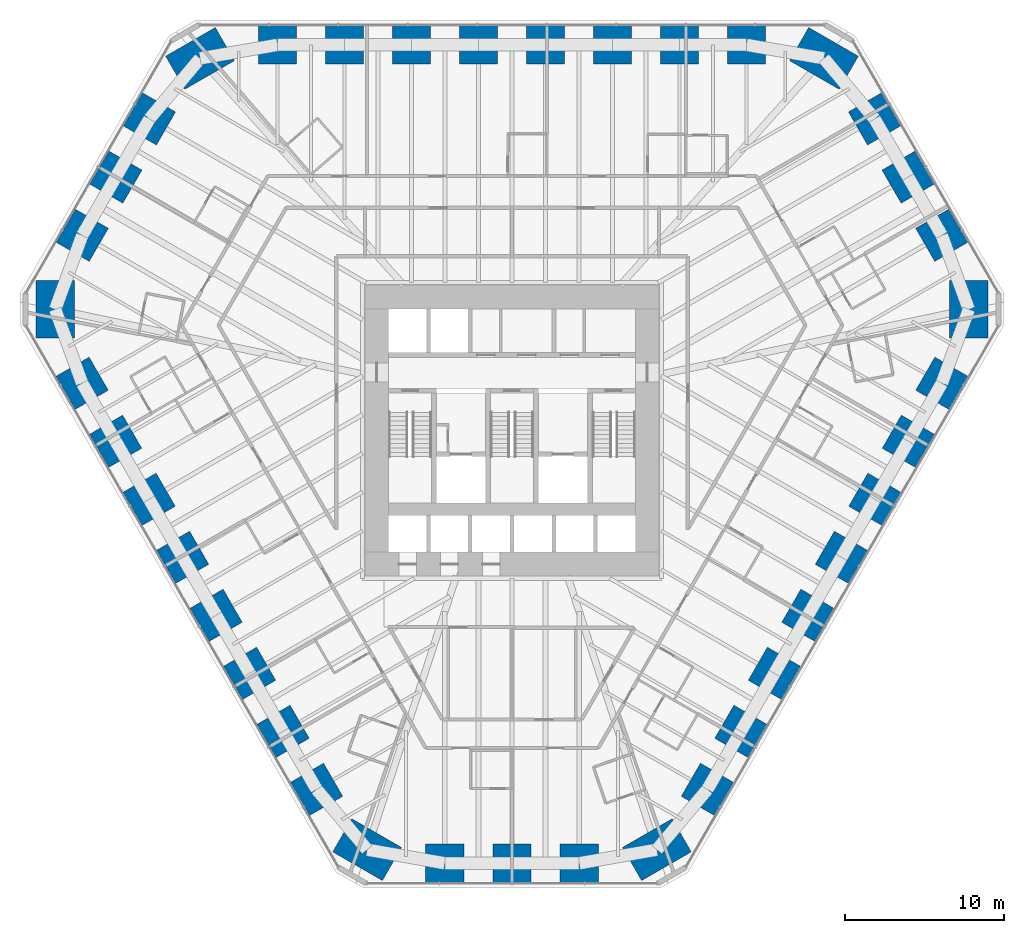
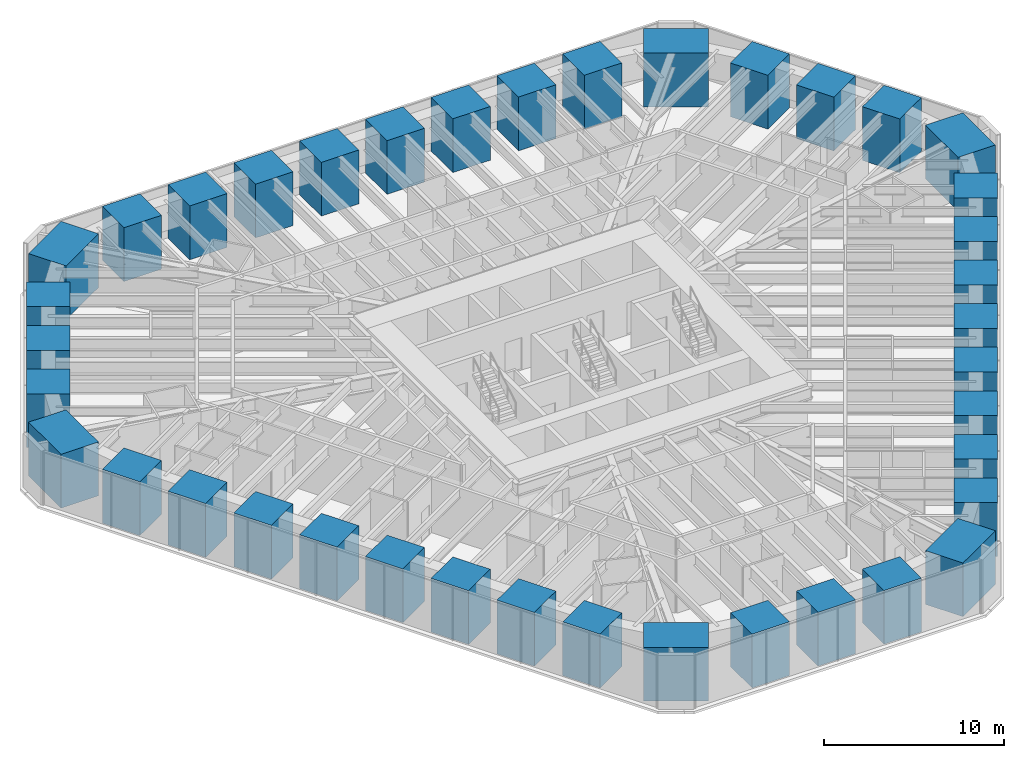
# One storey, part 1 of 17: 39 columns.
"""IFC4 building model written with IfcOpenShell, lengths in metres."""

import ifcopenshell
import ifcopenshell.guid

model = None  # the IFC model being written
_history = None  # IfcOwnerHistory: only IFC2X3 demands one
_inside = {}  # id of a spatial element -> (the spatial element, [elements in it])
_under = {}  # id of a project, library or spatial element -> (it, [spatial elements below it])
_declared = {}  # id of a project -> (the project, [libraries it declares])
_typed = {}  # id of a type object -> (the type object, [elements of that type])
_made_of = {}  # id of a material, layer set ... -> (it, [elements and type objects made of it])


def new_model(schema):
    """Start an empty IFC model of exactly this schema.

    Asked for "IFC4X3", IfcOpenShell would pick the latest addendum, in which some entities
    have other attributes; the version numbers below select the first issue.
    IFC2X3 requires an IfcOwnerHistory on every rooted entity: one is made here for all.
    """
    global model, _history
    if schema == "IFC4X3":
        model = ifcopenshell.file(schema_version=(4, 3, 0, 0))
    else:
        model = ifcopenshell.file(schema=schema)
    _inside.clear()
    _under.clear()
    _declared.clear()
    _typed.clear()
    _made_of.clear()
    _history = None
    if model.schema == "IFC2X3":
        org = make("IfcOrganization", Name="unknown")
        user = make(
            "IfcPersonAndOrganization",
            ThePerson=make("IfcPerson", FamilyName="unknown"),
            TheOrganization=org,
        )
        app = make(
            "IfcApplication",
            ApplicationDeveloper=org,
            Version="unknown",
            ApplicationFullName="unknown",
            ApplicationIdentifier="unknown",
        )
        _history = make(
            "IfcOwnerHistory",
            OwningUser=user,
            OwningApplication=app,
            ChangeAction="ADDED",
            CreationDate=0,
        )
    return model


def make(cls, **values):
    """One entity of the class cls with the attributes given. An attribute that is None is left unset."""
    return model.create_entity(
        cls, **{name: value for name, value in values.items() if value is not None}
    )


def rooted(cls, **values):
    """An entity with a GlobalId (a new one), such as an element, a storey or a relation."""
    return make(cls, GlobalId=ifcopenshell.guid.new(), OwnerHistory=_history, **values)


def si_unit(unit_type, name, prefix=None):
    """IfcSIUnit, for example si_unit("LENGTHUNIT", "METRE", prefix="MILLI")."""
    return make("IfcSIUnit", UnitType=unit_type, Prefix=prefix, Name=name)


def assignment(units):
    """IfcUnitAssignment: the units of a project."""
    return None if units is None else make("IfcUnitAssignment", Units=units)


def point(xyz):
    """IfcCartesianPoint."""
    return None if xyz is None else make("IfcCartesianPoint", Coordinates=xyz)


def direction(xyz):
    """IfcDirection."""
    return None if xyz is None else make("IfcDirection", DirectionRatios=xyz)


def frame(location, z_axis=None, x_axis=None):
    """IfcAxis2Placement3D, a coordinate frame: its origin and axes. An axis left out is left unset."""
    return make(
        "IfcAxis2Placement3D",
        Location=point(location),
        Axis=direction(z_axis),
        RefDirection=direction(x_axis),
    )


def frame_2d(location, x_axis=None):
    """IfcAxis2Placement2D, a coordinate frame in the plane: its origin and x axis."""
    return make(
        "IfcAxis2Placement2D", Location=point(location), RefDirection=direction(x_axis)
    )


def origin():
    """The frame at (0, 0, 0) with its axes left unset."""
    return frame((0.0, 0.0, 0.0))


def origin_2d():
    """The frame at (0, 0) in the plane with its x axis left unset."""
    return frame_2d((0.0, 0.0))


def place(relative_to, where):
    """IfcLocalPlacement: puts the frame where relative to a parent placement (None: the world)."""
    return make(
        "IfcLocalPlacement", PlacementRelTo=relative_to, RelativePlacement=where
    )


def context(
    kind, dimensions, precision=None, world=None, true_north=None, identifier=None
):
    """IfcGeometricRepresentationContext, for example the 3D "Model" context."""
    return make(
        "IfcGeometricRepresentationContext",
        ContextIdentifier=identifier,
        ContextType=kind,
        CoordinateSpaceDimension=dimensions,
        Precision=precision,
        WorldCoordinateSystem=world,
        TrueNorth=true_north,
    )


def subcontext(parent, identifier, kind, view, scale=None):
    """IfcGeometricRepresentationSubContext, for example "Body" below "Model"."""
    return make(
        "IfcGeometricRepresentationSubContext",
        ContextIdentifier=identifier,
        ContextType=kind,
        ParentContext=parent,
        TargetScale=scale,
        TargetView=view,
    )


def project(units=None, contexts=None):
    """IfcProject with its units and contexts."""
    return rooted(
        "IfcProject",
        Name="project",
        RepresentationContexts=contexts,
        UnitsInContext=assignment(units),
    )


def spatial(cls, under=None, at=None, **own):
    """A site, building, storey or space (cls), placed at a placement, below another one or the project."""
    s = rooted(cls, ObjectPlacement=at, **own)
    if under is not None:
        _under.setdefault(under.id(), (under, []))[1].append(s)
    return s


def profile(cls, at=None, kind="AREA", **sizes):
    """A parametric profile (cls). Its sizes go by their IFC names, for example OverallWidth=200.0."""
    return make(cls, ProfileType=kind, Position=at, **sizes)


def rectangle(**sizes):
    """IfcRectangleProfileDef."""
    return profile("IfcRectangleProfileDef", **sizes)


def extrude(swept, where, along, depth):
    """IfcExtrudedAreaSolid: the profile swept, set in the frame where, extruded along a direction by depth."""
    return make(
        "IfcExtrudedAreaSolid",
        SweptArea=swept,
        Position=where,
        ExtrudedDirection=direction(along),
        Depth=depth,
    )


def clip(a, b, op="DIFFERENCE"):
    """IfcBooleanClippingResult: the solid a cut by the half space b."""
    return make(
        "IfcBooleanClippingResult", Operator=op, FirstOperand=a, SecondOperand=b
    )


def halfspace(plane, agree):
    """IfcHalfSpaceSolid: all space on one side of the plane z = 0 of the frame plane."""
    return make(
        "IfcHalfSpaceSolid",
        BaseSurface=make("IfcPlane", Position=plane),
        AgreementFlag=agree,
    )


def shape(context_of_items, identifier, shape_type, items):
    """IfcShapeRepresentation: the items that make up one representation, for example the "Body"."""
    return make(
        "IfcShapeRepresentation",
        ContextOfItems=context_of_items,
        RepresentationIdentifier=identifier,
        RepresentationType=shape_type,
        Items=items,
    )


def material(Name=None, Category=None):
    """IfcMaterial."""
    return make("IfcMaterial", Name=Name, Category=Category)


def material_profile(
    of_material, cross_section, Name=None, Category=None, Priority=None
):
    """IfcMaterialProfile: a cross section and its material."""
    return make(
        "IfcMaterialProfile",
        Name=Name,
        Material=of_material,
        Profile=cross_section,
        Priority=Priority,
        Category=Category,
    )


def profile_set(profiles, Name=None, composite=None):
    """IfcMaterialProfileSet."""
    return make(
        "IfcMaterialProfileSet",
        Name=Name,
        MaterialProfiles=profiles,
        CompositeProfile=composite,
    )


def made_of(thing, what):
    """Note that an element or type object is made of a material, layer set ...; save() writes the relation."""
    if what is not None:
        _made_of.setdefault(what.id(), (what, []))[1].append(thing)
    return thing


def type_object(cls, material=None, **own):
    """A type object (cls), such as IfcWallType, which elements share."""
    return made_of(rooted(cls, **own), material)


def element(
    cls,
    number,
    at=None,
    inside=None,
    cuts=None,
    type_object=None,
    material=None,
    context=None,
    identifier="Body",
    shape_type=None,
    held_by="IfcProductDefinitionShape",
    body=None,
    shapes=None,
    **own,
):
    """One element of the class cls, such as IfcWall. Its Tag is "e" and its number.

    at: its placement. inside: the storey or other place that contains it. cuts: it is an
    opening in that element (IfcRelVoidsElement). A single representation is given by context,
    identifier, shape_type and body (its items); several are given by shapes. held_by: the class
    of the entity that holds the representations. save() writes the other relations.
    """
    e = rooted(cls, Tag="e%d" % number, ObjectPlacement=at, **own)
    if body is not None:
        shapes = [shape(context, identifier, shape_type, body)]
    if shapes is not None:
        e.Representation = make(held_by, Representations=shapes)
    if inside is not None:
        _inside.setdefault(inside.id(), (inside, []))[1].append(e)
    if cuts is not None:
        rooted(
            "IfcRelVoidsElement", RelatingBuildingElement=cuts, RelatedOpeningElement=e
        )
    if type_object is not None:
        _typed.setdefault(type_object.id(), (type_object, []))[1].append(e)
    return made_of(e, material)


def aggregate(whole, parts):
    """IfcRelAggregates: a whole, such as a stair, and the parts it consists of."""
    return rooted("IfcRelAggregates", RelatingObject=whole, RelatedObjects=parts)


def save(model, path):
    """Write the relations noted so far, then the file.

    IfcRelAggregates (storeys below a building ...), IfcRelContainedInSpatialStructure (elements
    in a storey), IfcRelDefinesByType, IfcRelAssociatesMaterial and IfcRelDeclares: one each for
    every whole, place, type object, material and project.
    """
    for whole, parts in _under.values():
        aggregate(whole, parts)
    for where, things in _inside.values():
        rooted(
            "IfcRelContainedInSpatialStructure",
            RelatedElements=things,
            RelatingStructure=where,
        )
    for kind, things in _typed.values():
        rooted("IfcRelDefinesByType", RelatedObjects=things, RelatingType=kind)
    for what, things in _made_of.values():
        rooted("IfcRelAssociatesMaterial", RelatedObjects=things, RelatingMaterial=what)
    for by, libraries in _declared.values():
        rooted("IfcRelDeclares", RelatingContext=by, RelatedDefinitions=libraries)
    model.write(path)


model = new_model("IFC4")

# Units and contexts
model_context = context("Model", 3, precision=1e-05, world=origin(), true_north=direction((0.0, 1.0)))
body_context = subcontext(model_context, "Body", "Model", "MODEL_VIEW")
ifc_project = project(units=[si_unit("LENGTHUNIT", "METRE"), si_unit("AREAUNIT", "SQUARE_METRE"), si_unit("VOLUMEUNIT", "CUBIC_METRE"), si_unit("PLANEANGLEUNIT", "RADIAN"), si_unit("MASSUNIT", "GRAM", prefix="KILO")], contexts=[model_context])

# Site, building, storey
site_placement = place(None, origin())
site = spatial("IfcSite", under=ifc_project, at=site_placement, CompositionType="ELEMENT")
building_placement = place(site_placement, origin())
building = spatial("IfcBuilding", under=site, at=building_placement, Name="Sandreach Pilgrim Tower", CompositionType="ELEMENT")
storey_placement = place(building_placement, frame((0.0, 0.0, 53.39990234375)))
storey = spatial("IfcBuildingStorey", under=building, at=storey_placement, Name="L12", CompositionType="ELEMENT", Elevation=53.39990234375)

# Columns
ifc_material_1 = material(Name="Concrete 10000 psi", Category="concrete")
ifc_material_profile_1 = material_profile(ifc_material_1, rectangle(XDim=2.39990234375, YDim=2.39990234375, at=origin_2d()), Name="RC2400X2400")
ifc_profile_set_1 = profile_set([ifc_material_profile_1], Name="Concrete 10000 psi")
column_type_1 = type_object("IfcColumnType", Name="Tube column RC2400X2400", PredefinedType="COLUMN", material=ifc_profile_set_1)
column_1_placement = place(storey_placement, frame((-14.734619140625, 22.688720703125, 0.0), z_axis=(0.0, 0.0, 1.0), x_axis=(0.0, 1.0, 0.0)))
element("IfcColumn", 1, at=column_1_placement, inside=storey, type_object=column_type_1, Name="COL L12 T01", PredefinedType="COLUMN", context=body_context, shape_type="SweptSolid", body=[
    clip(extrude(rectangle(XDim=2.39990234375, YDim=2.39990234375, at=origin_2d()), origin(), (0.0, 0.0, 1.0), 3.7275390625), halfspace(frame((0.0, 0.0, 3.64013671875)), False)),
])
column_2_placement = place(storey_placement, frame((-10.52490234375, 22.688720703125, 0.0), z_axis=(0.0, 0.0, 1.0), x_axis=(0.0, 1.0, 0.0)))
element("IfcColumn", 2, at=column_2_placement, inside=storey, type_object=column_type_1, Name="COL L12 T02", PredefinedType="COLUMN", context=body_context, shape_type="SweptSolid", body=[
    clip(extrude(rectangle(XDim=2.39990234375, YDim=2.39990234375, at=origin_2d()), origin(), (0.0, 0.0, 1.0), 3.735595703125), halfspace(frame((0.0, 0.0, 3.64013671875)), False)),
])
column_3_placement = place(storey_placement, frame((-6.31494140625, 22.688720703125, 0.0), z_axis=(0.0, 0.0, 1.0), x_axis=(0.0, 1.0, 0.0)))
element("IfcColumn", 3, at=column_3_placement, inside=storey, type_object=column_type_1, Name="COL L12 T03", PredefinedType="COLUMN", context=body_context, shape_type="SweptSolid", body=[
    clip(extrude(rectangle(XDim=2.39990234375, YDim=2.39990234375, at=origin_2d()), origin(), (0.0, 0.0, 1.0), 3.743896484375), halfspace(frame((0.0, 0.0, 3.64013671875)), False)),
])
for number, where, z_axis, x_axis, name in (
    (4, (-2.10498046875, 22.688720703125, 0.0), (0.0, 0.0, 1.0), (0.0, 1.0, 0.0), "COL L12 T04"),
    (5, (2.10498046875, 22.688720703125, 0.0), (0.0, 0.0, 1.0), (0.0, 1.0, 0.0), "COL L12 T05"),
):
    element("IfcColumn", number, at=place(storey_placement, frame(where, z_axis=z_axis, x_axis=x_axis)), inside=storey, type_object=column_type_1, Name=name, PredefinedType="COLUMN", context=body_context, shape_type="SweptSolid", body=[
        clip(extrude(rectangle(XDim=2.39990234375, YDim=2.39990234375, at=origin_2d()), origin(), (0.0, 0.0, 1.0), 3.751953125), halfspace(frame((0.0, 0.0, 3.64013671875)), False)),
    ])
column_4_placement = place(storey_placement, frame((6.31494140625, 22.688720703125, 0.0), z_axis=(0.0, 0.0, 1.0), x_axis=(0.0, 1.0, 0.0)))
element("IfcColumn", 6, at=column_4_placement, inside=storey, type_object=column_type_1, Name="COL L12 T06", PredefinedType="COLUMN", context=body_context, shape_type="SweptSolid", body=[
    clip(extrude(rectangle(XDim=2.39990234375, YDim=2.39990234375, at=origin_2d()), origin(), (0.0, 0.0, 1.0), 3.743896484375), halfspace(frame((0.0, 0.0, 3.64013671875)), False)),
])
column_5_placement = place(storey_placement, frame((10.52490234375, 22.688720703125, 0.0), z_axis=(0.0, 0.0, 1.0), x_axis=(0.0, 1.0, 0.0)))
element("IfcColumn", 7, at=column_5_placement, inside=storey, type_object=column_type_1, Name="COL L12 T07", PredefinedType="COLUMN", context=body_context, shape_type="SweptSolid", body=[
    clip(extrude(rectangle(XDim=2.39990234375, YDim=2.39990234375, at=origin_2d()), origin(), (0.0, 0.0, 1.0), 3.735595703125), halfspace(frame((0.0, 0.0, 3.64013671875)), False)),
])
column_6_placement = place(storey_placement, frame((14.734619140625, 22.688720703125, 0.0), z_axis=(0.0, 0.0, 1.0), x_axis=(0.0, 1.0, 0.0)))
element("IfcColumn", 8, at=column_6_placement, inside=storey, type_object=column_type_1, Name="COL L12 T08", PredefinedType="COLUMN", context=body_context, shape_type="SweptSolid", body=[
    clip(extrude(rectangle(XDim=2.39990234375, YDim=2.39990234375, at=origin_2d()), origin(), (0.0, 0.0, 1.0), 3.7275390625), halfspace(frame((0.0, 0.0, 3.64013671875)), False)),
])
column_7_placement = place(storey_placement, frame((22.787841796875, 18.031982421875, 0.0), z_axis=(0.0, 0.0, 1.0), x_axis=(0.866025403784, 0.5, 0.0)))
element("IfcColumn", 9, at=column_7_placement, inside=storey, type_object=column_type_1, Name="COL L12 T10", PredefinedType="COLUMN", context=body_context, shape_type="SweptSolid", body=[
    clip(extrude(rectangle(XDim=2.39990234375, YDim=2.39990234375, at=origin_2d()), origin(), (0.0, 0.0, 1.0), 3.737060546875), halfspace(frame((0.0, 0.0, 3.64013671875)), False)),
])
column_8_placement = place(storey_placement, frame((24.89892578125, 14.37548828125, 0.0), z_axis=(0.0, 0.0, 1.0), x_axis=(0.866025403784, 0.5, 0.0)))
element("IfcColumn", 10, at=column_8_placement, inside=storey, type_object=column_type_1, Name="COL L12 T11", PredefinedType="COLUMN", context=body_context, shape_type="SweptSolid", body=[
    clip(extrude(rectangle(XDim=2.39990234375, YDim=2.39990234375, at=origin_2d()), origin(), (0.0, 0.0, 1.0), 3.7451171875), halfspace(frame((0.0, 0.0, 3.64013671875)), False)),
])
column_9_placement = place(storey_placement, frame((27.01025390625, 10.71875, 0.0), z_axis=(0.0, 0.0, 1.0), x_axis=(0.866025403784, 0.5, 0.0)))
element("IfcColumn", 11, at=column_9_placement, inside=storey, type_object=column_type_1, Name="COL L12 T12", PredefinedType="COLUMN", context=body_context, shape_type="SweptSolid", body=[
    clip(extrude(rectangle(XDim=2.39990234375, YDim=2.39990234375, at=origin_2d()), origin(), (0.0, 0.0, 1.0), 3.737060546875), halfspace(frame((0.0, 0.0, 3.64013671875)), False)),
])
column_10_placement = place(storey_placement, frame((27.016357421875, 1.416259765625, 0.0), z_axis=(0.0, 0.0, 1.0), x_axis=(0.866025403784, -0.5, 0.0)))
element("IfcColumn", 12, at=column_10_placement, inside=storey, type_object=column_type_1, Name="COL L12 T14", PredefinedType="COLUMN", context=body_context, shape_type="SweptSolid", body=[
    clip(extrude(rectangle(XDim=2.39990234375, YDim=2.39990234375, at=origin_2d()), origin(), (0.0, 0.0, 1.0), 3.7275390625), halfspace(frame((0.0, 0.0, 3.64013671875)), False)),
])
column_11_placement = place(storey_placement, frame((24.911376953125, -2.229736328125, 0.0), z_axis=(0.0, 0.0, 1.0), x_axis=(0.866025403784, -0.5, 0.0)))
element("IfcColumn", 13, at=column_11_placement, inside=storey, type_object=column_type_1, Name="COL L12 T15", PredefinedType="COLUMN", context=body_context, shape_type="SweptSolid", body=[
    clip(extrude(rectangle(XDim=2.39990234375, YDim=2.39990234375, at=origin_2d()), origin(), (0.0, 0.0, 1.0), 3.735595703125), halfspace(frame((0.0, 0.0, 3.64013671875)), False)),
])
column_12_placement = place(storey_placement, frame((22.806396484375, -5.87548828125, 0.0), z_axis=(0.0, 0.0, 1.0), x_axis=(0.866025403784, -0.5, 0.0)))
element("IfcColumn", 14, at=column_12_placement, inside=storey, type_object=column_type_1, Name="COL L12 T16", PredefinedType="COLUMN", context=body_context, shape_type="SweptSolid", body=[
    clip(extrude(rectangle(XDim=2.39990234375, YDim=2.39990234375, at=origin_2d()), origin(), (0.0, 0.0, 1.0), 3.743896484375), halfspace(frame((0.0, 0.0, 3.64013671875)), False)),
])
for number, where, z_axis, x_axis, name in (
    (15, (20.701416015625, -9.521484375, 0.0), (0.0, 0.0, 1.0), (0.866025403784, -0.5, 0.0), "COL L12 T17"),
    (16, (18.596435546875, -13.167236328125, 0.0), (0.0, 0.0, 1.0), (0.866025403784, -0.5, 0.0), "COL L12 T18"),
):
    element("IfcColumn", number, at=place(storey_placement, frame(where, z_axis=z_axis, x_axis=x_axis)), inside=storey, type_object=column_type_1, Name=name, PredefinedType="COLUMN", context=body_context, shape_type="SweptSolid", body=[
        clip(extrude(rectangle(XDim=2.39990234375, YDim=2.39990234375, at=origin_2d()), origin(), (0.0, 0.0, 1.0), 3.751953125), halfspace(frame((0.0, 0.0, 3.64013671875)), False)),
    ])
column_13_placement = place(storey_placement, frame((16.491455078125, -16.813232421875, 0.0), z_axis=(0.0, 0.0, 1.0), x_axis=(0.866025403784, -0.5, 0.0)))
element("IfcColumn", 17, at=column_13_placement, inside=storey, type_object=column_type_1, Name="COL L12 T19", PredefinedType="COLUMN", context=body_context, shape_type="SweptSolid", body=[
    clip(extrude(rectangle(XDim=2.39990234375, YDim=2.39990234375, at=origin_2d()), origin(), (0.0, 0.0, 1.0), 3.743896484375), halfspace(frame((0.0, 0.0, 3.64013671875)), False)),
])
column_14_placement = place(storey_placement, frame((14.38671875, -20.458984375, 0.0), z_axis=(0.0, 0.0, 1.0), x_axis=(0.866025403784, -0.5, 0.0)))
element("IfcColumn", 18, at=column_14_placement, inside=storey, type_object=column_type_1, Name="COL L12 T20", PredefinedType="COLUMN", context=body_context, shape_type="SweptSolid", body=[
    clip(extrude(rectangle(XDim=2.39990234375, YDim=2.39990234375, at=origin_2d()), origin(), (0.0, 0.0, 1.0), 3.735595703125), halfspace(frame((0.0, 0.0, 3.64013671875)), False)),
])
column_15_placement = place(storey_placement, frame((12.28173828125, -24.10498046875, 0.0), z_axis=(0.0, 0.0, 1.0), x_axis=(0.866025403784, -0.5, 0.0)))
element("IfcColumn", 19, at=column_15_placement, inside=storey, type_object=column_type_1, Name="COL L12 T21", PredefinedType="COLUMN", context=body_context, shape_type="SweptSolid", body=[
    clip(extrude(rectangle(XDim=2.39990234375, YDim=2.39990234375, at=origin_2d()), origin(), (0.0, 0.0, 1.0), 3.7275390625), halfspace(frame((0.0, 0.0, 3.64013671875)), False)),
])
column_16_placement = place(storey_placement, frame((4.222412109375, -28.7509765625, 0.0), z_axis=(0.0, 0.0, 1.0), x_axis=(0.0, -1.0, 0.0)))
element("IfcColumn", 20, at=column_16_placement, inside=storey, type_object=column_type_1, Name="COL L12 T23", PredefinedType="COLUMN", context=body_context, shape_type="SweptSolid", body=[
    clip(extrude(rectangle(XDim=2.39990234375, YDim=2.39990234375, at=origin_2d()), origin(), (0.0, 0.0, 1.0), 3.737060546875), halfspace(frame((0.0, 0.0, 3.64013671875)), False)),
])
column_17_placement = place(storey_placement, frame((0.0, -28.7509765625, 0.0), z_axis=(0.0, 0.0, 1.0), x_axis=(0.0, -1.0, 0.0)))
element("IfcColumn", 21, at=column_17_placement, inside=storey, type_object=column_type_1, Name="COL L12 T24", PredefinedType="COLUMN", context=body_context, shape_type="SweptSolid", body=[
    clip(extrude(rectangle(XDim=2.39990234375, YDim=2.39990234375, at=origin_2d()), origin(), (0.0, 0.0, 1.0), 3.7451171875), halfspace(frame((0.0, 0.0, 3.64013671875)), False)),
])
column_18_placement = place(storey_placement, frame((-4.222412109375, -28.7509765625, 0.0), z_axis=(0.0, 0.0, 1.0), x_axis=(0.0, -1.0, 0.0)))
element("IfcColumn", 22, at=column_18_placement, inside=storey, type_object=column_type_1, Name="COL L12 T25", PredefinedType="COLUMN", context=body_context, shape_type="SweptSolid", body=[
    clip(extrude(rectangle(XDim=2.39990234375, YDim=2.39990234375, at=origin_2d()), origin(), (0.0, 0.0, 1.0), 3.737060546875), halfspace(frame((0.0, 0.0, 3.64013671875)), False)),
])
column_19_placement = place(storey_placement, frame((-12.28173828125, -24.10498046875, 0.0), z_axis=(0.0, 0.0, 1.0), x_axis=(-0.866025403784, -0.5, 0.0)))
element("IfcColumn", 23, at=column_19_placement, inside=storey, type_object=column_type_1, Name="COL L12 T27", PredefinedType="COLUMN", context=body_context, shape_type="SweptSolid", body=[
    clip(extrude(rectangle(XDim=2.39990234375, YDim=2.39990234375, at=origin_2d()), origin(), (0.0, 0.0, 1.0), 3.7275390625), halfspace(frame((0.0, 0.0, 3.64013671875)), False)),
])
column_20_placement = place(storey_placement, frame((-14.38671875, -20.458984375, 0.0), z_axis=(0.0, 0.0, 1.0), x_axis=(-0.866025403784, -0.5, 0.0)))
element("IfcColumn", 24, at=column_20_placement, inside=storey, type_object=column_type_1, Name="COL L12 T28", PredefinedType="COLUMN", context=body_context, shape_type="SweptSolid", body=[
    clip(extrude(rectangle(XDim=2.39990234375, YDim=2.39990234375, at=origin_2d()), origin(), (0.0, 0.0, 1.0), 3.735595703125), halfspace(frame((0.0, 0.0, 3.64013671875)), False)),
])
column_21_placement = place(storey_placement, frame((-16.491455078125, -16.813232421875, 0.0), z_axis=(0.0, 0.0, 1.0), x_axis=(-0.866025403784, -0.5, 0.0)))
element("IfcColumn", 25, at=column_21_placement, inside=storey, type_object=column_type_1, Name="COL L12 T29", PredefinedType="COLUMN", context=body_context, shape_type="SweptSolid", body=[
    clip(extrude(rectangle(XDim=2.39990234375, YDim=2.39990234375, at=origin_2d()), origin(), (0.0, 0.0, 1.0), 3.743896484375), halfspace(frame((0.0, 0.0, 3.64013671875)), False)),
])
for number, where, z_axis, x_axis, name in (
    (26, (-18.596435546875, -13.167236328125, 0.0), (0.0, 0.0, 1.0), (-0.866025403784, -0.5, 0.0), "COL L12 T30"),
    (27, (-20.701416015625, -9.521484375, 0.0), (0.0, 0.0, 1.0), (-0.866025403784, -0.5, 0.0), "COL L12 T31"),
):
    element("IfcColumn", number, at=place(storey_placement, frame(where, z_axis=z_axis, x_axis=x_axis)), inside=storey, type_object=column_type_1, Name=name, PredefinedType="COLUMN", context=body_context, shape_type="SweptSolid", body=[
        clip(extrude(rectangle(XDim=2.39990234375, YDim=2.39990234375, at=origin_2d()), origin(), (0.0, 0.0, 1.0), 3.751953125), halfspace(frame((0.0, 0.0, 3.64013671875)), False)),
    ])
column_22_placement = place(storey_placement, frame((-22.806396484375, -5.87548828125, 0.0), z_axis=(0.0, 0.0, 1.0), x_axis=(-0.866025403784, -0.5, 0.0)))
element("IfcColumn", 28, at=column_22_placement, inside=storey, type_object=column_type_1, Name="COL L12 T32", PredefinedType="COLUMN", context=body_context, shape_type="SweptSolid", body=[
    clip(extrude(rectangle(XDim=2.39990234375, YDim=2.39990234375, at=origin_2d()), origin(), (0.0, 0.0, 1.0), 3.743896484375), halfspace(frame((0.0, 0.0, 3.64013671875)), False)),
])
column_23_placement = place(storey_placement, frame((-24.911376953125, -2.229736328125, 0.0), z_axis=(0.0, 0.0, 1.0), x_axis=(-0.866025403784, -0.5, 0.0)))
element("IfcColumn", 29, at=column_23_placement, inside=storey, type_object=column_type_1, Name="COL L12 T33", PredefinedType="COLUMN", context=body_context, shape_type="SweptSolid", body=[
    clip(extrude(rectangle(XDim=2.39990234375, YDim=2.39990234375, at=origin_2d()), origin(), (0.0, 0.0, 1.0), 3.735595703125), halfspace(frame((0.0, 0.0, 3.64013671875)), False)),
])
column_24_placement = place(storey_placement, frame((-27.016357421875, 1.416259765625, 0.0), z_axis=(0.0, 0.0, 1.0), x_axis=(-0.866025403784, -0.5, 0.0)))
element("IfcColumn", 30, at=column_24_placement, inside=storey, type_object=column_type_1, Name="COL L12 T34", PredefinedType="COLUMN", context=body_context, shape_type="SweptSolid", body=[
    clip(extrude(rectangle(XDim=2.39990234375, YDim=2.39990234375, at=origin_2d()), origin(), (0.0, 0.0, 1.0), 3.7275390625), halfspace(frame((0.0, 0.0, 3.64013671875)), False)),
])
column_25_placement = place(storey_placement, frame((-27.01025390625, 10.71875, 0.0), z_axis=(0.0, 0.0, 1.0), x_axis=(-0.866025403784, 0.5, 0.0)))
element("IfcColumn", 31, at=column_25_placement, inside=storey, type_object=column_type_1, Name="COL L12 T36", PredefinedType="COLUMN", context=body_context, shape_type="SweptSolid", body=[
    clip(extrude(rectangle(XDim=2.39990234375, YDim=2.39990234375, at=origin_2d()), origin(), (0.0, 0.0, 1.0), 3.737060546875), halfspace(frame((0.0, 0.0, 3.64013671875)), False)),
])
column_26_placement = place(storey_placement, frame((-24.89892578125, 14.37548828125, 0.0), z_axis=(0.0, 0.0, 1.0), x_axis=(-0.866025403784, 0.5, 0.0)))
element("IfcColumn", 32, at=column_26_placement, inside=storey, type_object=column_type_1, Name="COL L12 T37", PredefinedType="COLUMN", context=body_context, shape_type="SweptSolid", body=[
    clip(extrude(rectangle(XDim=2.39990234375, YDim=2.39990234375, at=origin_2d()), origin(), (0.0, 0.0, 1.0), 3.7451171875), halfspace(frame((0.0, 0.0, 3.64013671875)), False)),
])
column_27_placement = place(storey_placement, frame((-22.787841796875, 18.031982421875, 0.0), z_axis=(0.0, 0.0, 1.0), x_axis=(-0.866025403784, 0.5, 0.0)))
element("IfcColumn", 33, at=column_27_placement, inside=storey, type_object=column_type_1, Name="COL L12 T38", PredefinedType="COLUMN", context=body_context, shape_type="SweptSolid", body=[
    clip(extrude(rectangle(XDim=2.39990234375, YDim=2.39990234375, at=origin_2d()), origin(), (0.0, 0.0, 1.0), 3.737060546875), halfspace(frame((0.0, 0.0, 3.64013671875)), False)),
])
ifc_material_2 = material(Name="Concrete 10000 psi", Category="concrete")
ifc_material_profile_2 = material_profile(ifc_material_2, rectangle(XDim=2.39990234375, YDim=3.60009765625, at=origin_2d()), Name="RC2400X3600")
ifc_profile_set_2 = profile_set([ifc_material_profile_2], Name="Concrete 10000 psi")
column_type_2 = type_object("IfcColumnType", Name="Tube corner pier RC2400X3600", PredefinedType="COLUMN", material=ifc_profile_set_2)
for number, where, z_axis, x_axis, name in (
    (34, (19.6064453125, 21.834716796875, 0.0), (0.0, 0.0, 1.0), (0.5, 0.866025403784, 0.0), "COL L12 T09"),
    (35, (28.712646484375, 6.062255859375, 0.0), (0.0, 0.0, 1.0), (1.0, 0.0, 0.0), "COL L12 T13"),
    (36, (9.1064453125, -27.89697265625, 0.0), (0.0, 0.0, 1.0), (0.5, -0.866025403784, 0.0), "COL L12 T22"),
    (37, (-9.1064453125, -27.89697265625, 0.0), (0.0, 0.0, 1.0), (-0.5, -0.866025403784, 0.0), "COL L12 T26"),
    (38, (-28.712646484375, 6.062255859375, 0.0), (0.0, 0.0, 1.0), (-1.0, 0.0, 0.0), "COL L12 T35"),
    (39, (-19.6064453125, 21.834716796875, 0.0), (0.0, 0.0, 1.0), (-0.5, 0.866025403784, 0.0), "COL L12 T39"),
):
    element("IfcColumn", number, at=place(storey_placement, frame(where, z_axis=z_axis, x_axis=x_axis)), inside=storey, type_object=column_type_2, Name=name, PredefinedType="COLUMN", context=body_context, shape_type="SweptSolid", body=[
        clip(extrude(rectangle(XDim=2.39990234375, YDim=3.60009765625, at=origin_2d()), origin(), (0.0, 0.0, 1.0), 3.72607421875), halfspace(frame((0.0, 0.0, 3.64013671875)), False)),
    ])

save(model, "model.ifc")
